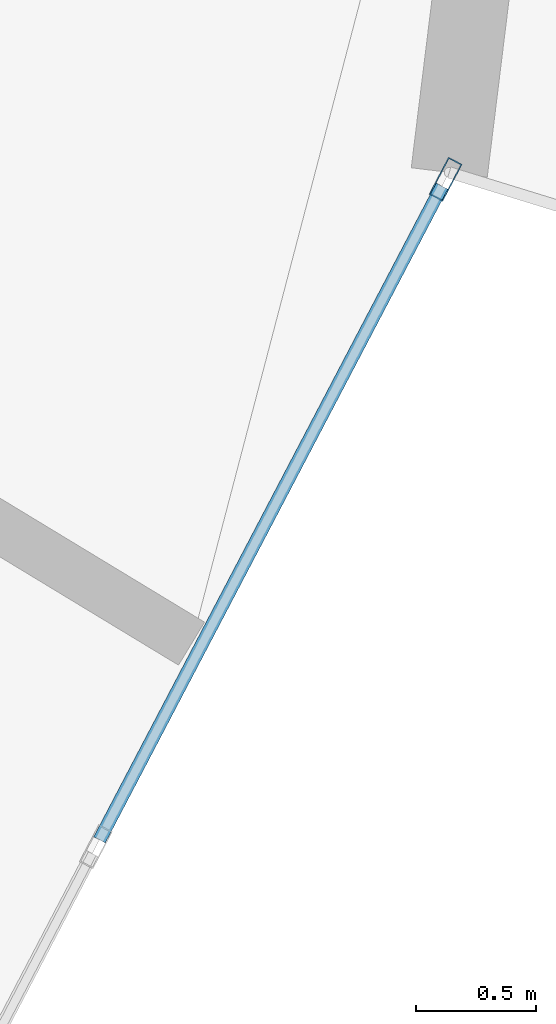
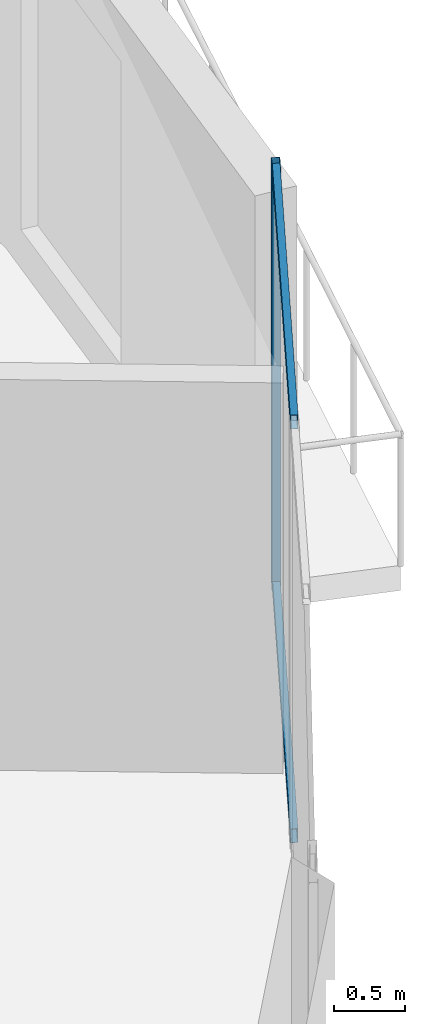
# One storey, part 11 of 25: 3 members, 1 element without a shape of its own.
"""IFC4 building model written with IfcOpenShell, lengths in metres."""

from ifc_helpers import new_model, si_unit, direction, frame, origin, origin_2d, place, context, subcontext, project, spatial, hollow_rectangle, extrude, source, transform, mapped, material, layer, layer_set, material_profile, profile_set, type_object, element, aggregate, save


model = new_model("IFC4")

# Units and contexts
model_context = context("Model", 3, precision=1e-05, world=origin(), true_north=direction((0.0, 1.0)))
body_context = subcontext(model_context, "Body", "Model", "MODEL_VIEW")
ifc_project = project(units=[si_unit("LENGTHUNIT", "METRE"), si_unit("AREAUNIT", "SQUARE_METRE"), si_unit("VOLUMEUNIT", "CUBIC_METRE"), si_unit("PLANEANGLEUNIT", "RADIAN"), si_unit("MASSUNIT", "GRAM", prefix="KILO")], contexts=[model_context])

# Site, building, storey
site_placement = place(None, origin())
site = spatial("IfcSite", under=ifc_project, at=site_placement, CompositionType="ELEMENT")
building_placement = place(site_placement, origin())
building = spatial("IfcBuilding", under=site, at=building_placement, Name="Solvirekh Grand Hotel", CompositionType="ELEMENT")
storey_placement = place(building_placement, frame((0.0, 0.0, 127.800048828125)))
storey = spatial("IfcBuildingStorey", under=building, at=storey_placement, Name="L32", CompositionType="ELEMENT", Elevation=127.800048828125)

# Curtain wall, members
ifc_material = material(Name="Anodized Bronze Aluminium 6063-T6", Category="aluminium")
ifc_layer = layer(ifc_material, 0.175048828125)
ifc_layer_set = layer_set([ifc_layer], Name="Anodized Bronze Aluminium 6063-T6")
curtain_wall_type = type_object("IfcCurtainWallType", Name="CW_Sys3_MidZoneFlushBronzeCW", PredefinedType="NOTDEFINED", material=ifc_layer_set)
curtain_wall_placement = place(storey_placement, origin())
curtain_wall = element("IfcCurtainWall", 1, at=curtain_wall_placement, inside=storey, type_object=curtain_wall_type, Name="L32 unitised bronze-glass curtain wall CW-L32-C01", PredefinedType="NOTDEFINED")
ifc_material_profile_1 = material_profile(ifc_material, hollow_rectangle(XDim=0.06494140625, YDim=0.175048828125, WallThickness=0.0048828125, at=origin_2d()), Name="ALU RHS 175X65X5")
ifc_profile_set_1 = profile_set([ifc_material_profile_1], Name="Anodized Bronze Aluminium 6063-T6")
member_type_1 = type_object("IfcMemberType", Name="CWMullion_Sys3", PredefinedType="MULLION", material=ifc_profile_set_1)
shared_shape_1 = source(origin(), body_context, "Body", "SweptSolid", [
    extrude(hollow_rectangle(XDim=0.06494140625, YDim=0.175048828125, WallThickness=0.0048828125, at=origin_2d()), origin(), (0.0, 0.0, 1.0), 3.599853515625),
])
member_1_placement = place(storey_placement, frame((20.7958984375, -9.45068359375, 0.0), z_axis=(0.0, 0.0, 1.0), x_axis=(-0.885754689083, 0.4641536715, 0.0)))
member_1 = element("IfcMember", 2, at=member_1_placement, type_object=member_type_1, Name="U03 mullion 3", PredefinedType="MULLION", context=body_context, shape_type="MappedRepresentation", body=[
    mapped(shared_shape_1, transform((0.0, 0.0, 0.0), x_axis=(1.0, 0.0, 0.0), y_axis=(0.0, 1.0, 0.0), z_axis=(0.0, 0.0, 1.0), scale=1.0)),
])
ifc_material_profile_2 = material_profile(ifc_material, hollow_rectangle(XDim=0.054931640625, YDim=0.1201171875, WallThickness=0.00390625, at=origin_2d()), Name="ALU RHS 120X55X4")
ifc_profile_set_2 = profile_set([ifc_material_profile_2], Name="Anodized Bronze Aluminium 6063-T6")
member_type_2 = type_object("IfcMemberType", Name="CWTransom_Sys3", PredefinedType="USERDEFINED", material=ifc_profile_set_2)
shared_shape_2 = source(origin(), body_context, "Body", "SweptSolid", [
    extrude(hollow_rectangle(XDim=0.054931640625, YDim=0.1201171875, WallThickness=0.00390625, at=origin_2d()), origin(), (0.0, 0.0, 1.0), 3.086669921875),
])
member_2_placement = place(storey_placement, frame((19.34814453125, -12.213623046875, 0.02734375), z_axis=(0.46412225373, 0.88577115193, 0.0), x_axis=(-0.88577115193, 0.46412225373, 0.0)))
member_2 = element("IfcMember", 3, at=member_2_placement, type_object=member_type_2, Name="U03 transom 2.1", ObjectType="TRANSOM", PredefinedType="USERDEFINED", context=body_context, shape_type="MappedRepresentation", body=[
    mapped(shared_shape_2, transform((0.0, 0.0, 0.0), x_axis=(1.0, 0.0, 0.0), y_axis=(0.0, 1.0, 0.0), z_axis=(0.0, 0.0, 1.0), scale=1.0)),
])
member_3_placement = place(storey_placement, frame((19.34814453125, -12.213623046875, 3.572509765625), z_axis=(0.46412225373, 0.88577115193, 0.0), x_axis=(-0.88577115193, 0.46412225373, 0.0)))
member_3 = element("IfcMember", 4, at=member_3_placement, type_object=member_type_2, Name="U03 transom 2.2", ObjectType="TRANSOM", PredefinedType="USERDEFINED", context=body_context, shape_type="MappedRepresentation", body=[
    mapped(shared_shape_2, transform((0.0, 0.0, 0.0), x_axis=(1.0, 0.0, 0.0), y_axis=(0.0, 1.0, 0.0), z_axis=(0.0, 0.0, 1.0), scale=1.0)),
])
aggregate(curtain_wall, [member_1, member_2, member_3])

save(model, "model.ifc")
